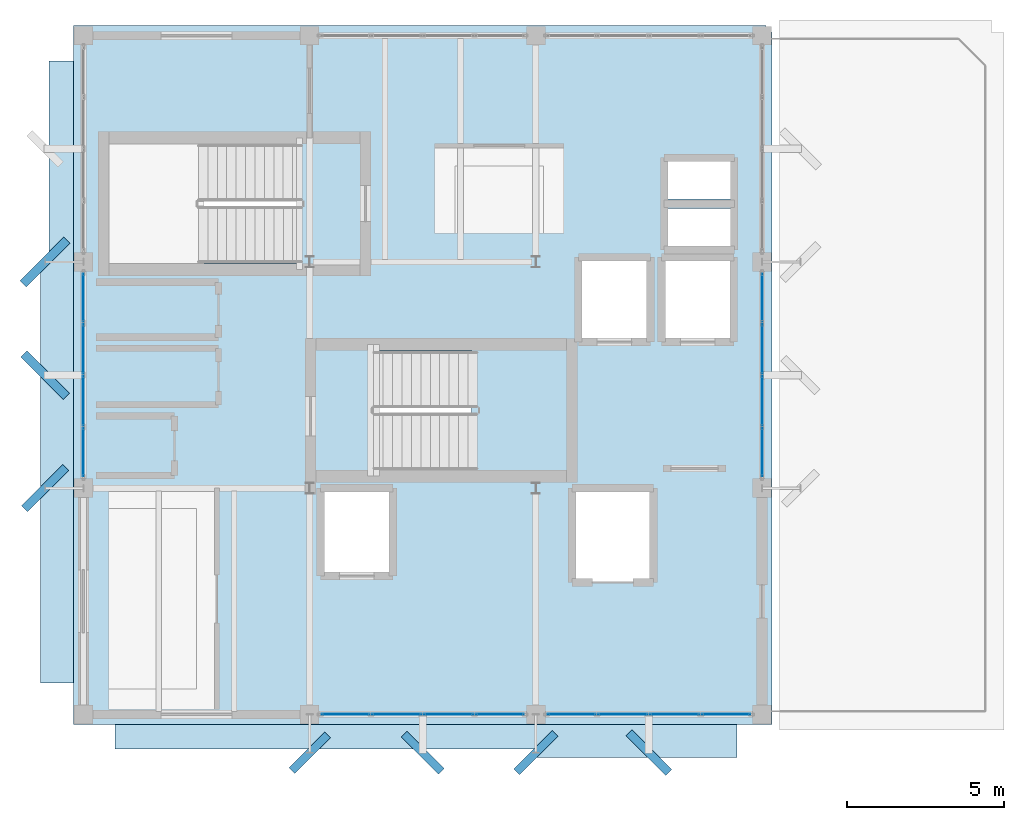
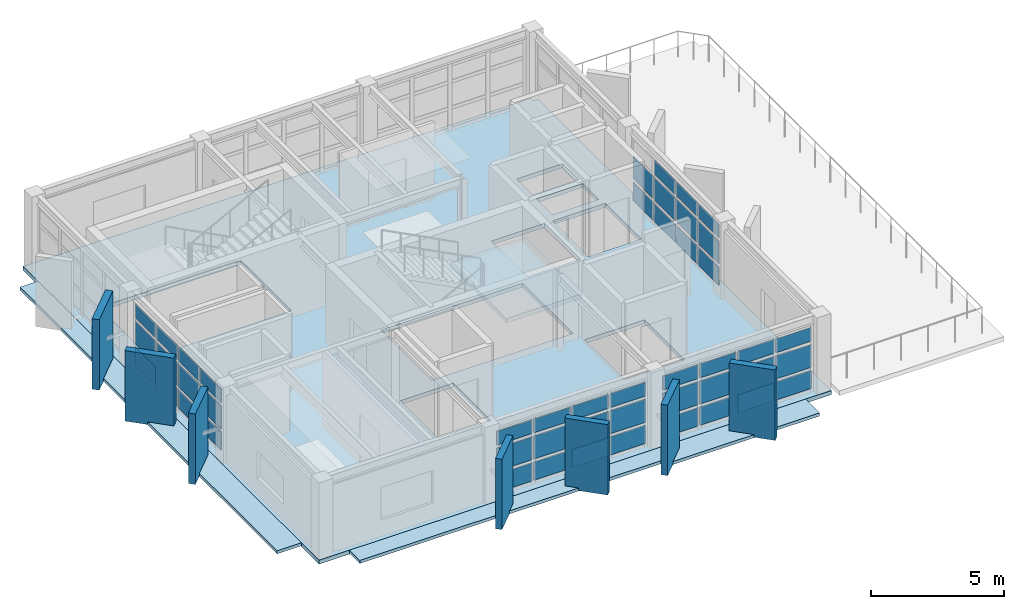
# One storey, part 7 of 13: 54 plates, 4 slabs, 5 elements without a shape of their own.
"""IFC4 building model written with IfcOpenShell, lengths in metres."""

from ifc_helpers import new_model, si_unit, direction, frame, origin, origin_2d, place, context, subcontext, project, spatial, polyline, rectangle, outline, extrude, material, layer, layer_set, type_object, element, aggregate, save


model = new_model("IFC4")

# Units and contexts
model_context = context("Model", 3, precision=1e-05, world=origin(), true_north=direction((0.0, 1.0)))
body_context = subcontext(model_context, "Body", "Model", "MODEL_VIEW")
ifc_project = project(units=[si_unit("LENGTHUNIT", "METRE"), si_unit("AREAUNIT", "SQUARE_METRE"), si_unit("VOLUMEUNIT", "CUBIC_METRE"), si_unit("PLANEANGLEUNIT", "RADIAN"), si_unit("MASSUNIT", "GRAM", prefix="KILO")], contexts=[model_context])

# Site, building, storey
site_placement = place(None, origin())
site = spatial("IfcSite", under=ifc_project, at=site_placement, CompositionType="ELEMENT")
building_placement = place(site_placement, origin())
building = spatial("IfcBuilding", under=site, at=building_placement, Name="Kandorven Conservatory and Botanical Research Centre", CompositionType="ELEMENT")
storey_placement = place(building_placement, frame((0.0, 0.0, 59.39990234375)))
storey = spatial("IfcBuildingStorey", under=building, at=storey_placement, Name="L15", CompositionType="ELEMENT", Elevation=59.39990234375)

# Curtain wall, plates
ifc_material_1 = material(Name="Bronze anodised thermally broken aluminium", Category="aluminium")
ifc_layer_1 = layer(ifc_material_1, 0.179931640625)
ifc_layer_set_1 = layer_set([ifc_layer_1], Name="Bronze anodised thermally broken aluminium")
curtain_wall_type = type_object("IfcCurtainWallType", Name="CW_Unitised", PredefinedType="USERDEFINED", material=ifc_layer_set_1)
curtain_wall_1_placement = place(storey_placement, origin())
curtain_wall_1 = element("IfcCurtainWall", 1, at=curtain_wall_1_placement, inside=storey, type_object=curtain_wall_type, Name="Tower laboratory curtain wall CW-TWR-S-L15-2", ObjectType="UNITISED GLAZING", PredefinedType="USERDEFINED")
ifc_material_2 = material(Name="Double-glazed solar-control low-E glass", Category="glass")
ifc_layer_2 = layer(ifc_material_2, 0.028076171875)
ifc_layer_set_2 = layer_set([ifc_layer_2], Name="Double-glazed solar-control low-E glass")
plate_type_1 = type_object("IfcPlateType", Name="CW_Panel", PredefinedType="CURTAIN_PANEL", material=ifc_layer_set_2)
plate_1_placement = place(storey_placement, frame((14.344970703125, 6.0, 0.14990234375), z_axis=(0.0, 0.0, 1.0), x_axis=(1.0, 0.0, 0.0)))
plate_1 = element("IfcPlate", 2, at=plate_1_placement, type_object=plate_type_1, Name="CW-01 panel 1.1", PredefinedType="CURTAIN_PANEL", context=body_context, shape_type="SweptSolid", body=[
    extrude(rectangle(XDim=1.530029296875, YDim=0.028076171875, at=origin_2d()), origin(), (0.0, 0.0, 1.0), 0.824951171875),
])
plate_2_placement = place(storey_placement, frame((14.344970703125, 6.0, 1.125), z_axis=(0.0, 0.0, 1.0), x_axis=(1.0, 0.0, 0.0)))
plate_2 = element("IfcPlate", 3, at=plate_2_placement, type_object=plate_type_1, Name="CW-01 panel 1.2", PredefinedType="CURTAIN_PANEL", context=body_context, shape_type="SweptSolid", body=[
    extrude(rectangle(XDim=1.530029296875, YDim=0.028076171875, at=origin_2d()), origin(), (0.0, 0.0, 1.0), 1.050048828125),
])
plate_3_placement = place(storey_placement, frame((14.344970703125, 6.0, 2.3251953125), z_axis=(0.0, 0.0, 1.0), x_axis=(1.0, 0.0, 0.0)))
plate_3 = element("IfcPlate", 4, at=plate_3_placement, type_object=plate_type_1, Name="CW-01 panel 1.3", PredefinedType="CURTAIN_PANEL", context=body_context, shape_type="SweptSolid", body=[
    extrude(rectangle(XDim=1.530029296875, YDim=0.028076171875, at=origin_2d()), origin(), (0.0, 0.0, 1.0), 0.635009765625),
])
plate_4_placement = place(storey_placement, frame((15.97509765625, 6.0, 0.14990234375), z_axis=(0.0, 0.0, 1.0), x_axis=(1.0, 0.0, 0.0)))
plate_4 = element("IfcPlate", 5, at=plate_4_placement, type_object=plate_type_1, Name="CW-01 panel 2.1", PredefinedType="CURTAIN_PANEL", context=body_context, shape_type="SweptSolid", body=[
    extrude(rectangle(XDim=1.570068359375, YDim=0.028076171875, at=origin_2d()), origin(), (0.0, 0.0, 1.0), 0.824951171875),
])
plate_5_placement = place(storey_placement, frame((15.97509765625, 6.0, 1.125), z_axis=(0.0, 0.0, 1.0), x_axis=(1.0, 0.0, 0.0)))
plate_5 = element("IfcPlate", 6, at=plate_5_placement, type_object=plate_type_1, Name="CW-01 panel 2.2", PredefinedType="CURTAIN_PANEL", context=body_context, shape_type="SweptSolid", body=[
    extrude(rectangle(XDim=1.570068359375, YDim=0.028076171875, at=origin_2d()), origin(), (0.0, 0.0, 1.0), 1.050048828125),
])
plate_6_placement = place(storey_placement, frame((15.97509765625, 6.0, 2.3251953125), z_axis=(0.0, 0.0, 1.0), x_axis=(1.0, 0.0, 0.0)))
plate_6 = element("IfcPlate", 7, at=plate_6_placement, type_object=plate_type_1, Name="CW-01 panel 2.3", PredefinedType="CURTAIN_PANEL", context=body_context, shape_type="SweptSolid", body=[
    extrude(rectangle(XDim=1.570068359375, YDim=0.028076171875, at=origin_2d()), origin(), (0.0, 0.0, 1.0), 0.635009765625),
])
plate_7_placement = place(storey_placement, frame((17.625, 6.0, 0.14990234375), z_axis=(0.0, 0.0, 1.0), x_axis=(1.0, 0.0, 0.0)))
plate_7 = element("IfcPlate", 8, at=plate_7_placement, type_object=plate_type_1, Name="CW-01 panel 3.1", PredefinedType="CURTAIN_PANEL", context=body_context, shape_type="SweptSolid", body=[
    extrude(rectangle(XDim=1.570068359375, YDim=0.028076171875, at=origin_2d()), origin(), (0.0, 0.0, 1.0), 0.824951171875),
])
plate_8_placement = place(storey_placement, frame((17.625, 6.0, 1.125), z_axis=(0.0, 0.0, 1.0), x_axis=(1.0, 0.0, 0.0)))
plate_8 = element("IfcPlate", 9, at=plate_8_placement, type_object=plate_type_1, Name="CW-01 panel 3.2", PredefinedType="CURTAIN_PANEL", context=body_context, shape_type="SweptSolid", body=[
    extrude(rectangle(XDim=1.570068359375, YDim=0.028076171875, at=origin_2d()), origin(), (0.0, 0.0, 1.0), 1.050048828125),
])
plate_9_placement = place(storey_placement, frame((17.625, 6.0, 2.3251953125), z_axis=(0.0, 0.0, 1.0), x_axis=(1.0, 0.0, 0.0)))
plate_9 = element("IfcPlate", 10, at=plate_9_placement, type_object=plate_type_1, Name="CW-01 panel 3.3", PredefinedType="CURTAIN_PANEL", context=body_context, shape_type="SweptSolid", body=[
    extrude(rectangle(XDim=1.570068359375, YDim=0.028076171875, at=origin_2d()), origin(), (0.0, 0.0, 1.0), 0.635009765625),
])
plate_10_placement = place(storey_placement, frame((19.2548828125, 6.0, 0.14990234375), z_axis=(0.0, 0.0, 1.0), x_axis=(1.0, 0.0, 0.0)))
plate_10 = element("IfcPlate", 11, at=plate_10_placement, type_object=plate_type_1, Name="CW-01 panel 4.1", PredefinedType="CURTAIN_PANEL", context=body_context, shape_type="SweptSolid", body=[
    extrude(rectangle(XDim=1.530029296875, YDim=0.028076171875, at=origin_2d()), origin(), (0.0, 0.0, 1.0), 0.824951171875),
])
plate_11_placement = place(storey_placement, frame((19.2548828125, 6.0, 1.125), z_axis=(0.0, 0.0, 1.0), x_axis=(1.0, 0.0, 0.0)))
plate_11 = element("IfcPlate", 12, at=plate_11_placement, type_object=plate_type_1, Name="CW-01 panel 4.2", PredefinedType="CURTAIN_PANEL", context=body_context, shape_type="SweptSolid", body=[
    extrude(rectangle(XDim=1.530029296875, YDim=0.028076171875, at=origin_2d()), origin(), (0.0, 0.0, 1.0), 1.050048828125),
])
plate_12_placement = place(storey_placement, frame((19.2548828125, 6.0, 2.3251953125), z_axis=(0.0, 0.0, 1.0), x_axis=(1.0, 0.0, 0.0)))
plate_12 = element("IfcPlate", 13, at=plate_12_placement, type_object=plate_type_1, Name="CW-01 panel 4.3", PredefinedType="CURTAIN_PANEL", context=body_context, shape_type="SweptSolid", body=[
    extrude(rectangle(XDim=1.530029296875, YDim=0.028076171875, at=origin_2d()), origin(), (0.0, 0.0, 1.0), 0.635009765625),
])
aggregate(curtain_wall_1, [plate_1, plate_2, plate_3, plate_4, plate_5, plate_6, plate_7, plate_8, plate_9, plate_10, plate_11, plate_12])

curtain_wall_2_placement = place(storey_placement, origin())
curtain_wall_2 = element("IfcCurtainWall", 14, at=curtain_wall_2_placement, inside=storey, type_object=curtain_wall_type, Name="Tower laboratory curtain wall CW-TWR-S-L15-3", ObjectType="UNITISED GLAZING", PredefinedType="USERDEFINED")
plate_13_placement = place(storey_placement, frame((21.544921875, 6.0, 0.14990234375), z_axis=(0.0, 0.0, 1.0), x_axis=(1.0, 0.0, 0.0)))
plate_13 = element("IfcPlate", 15, at=plate_13_placement, type_object=plate_type_1, Name="CW-01 panel 1.1", PredefinedType="CURTAIN_PANEL", context=body_context, shape_type="SweptSolid", body=[
    extrude(rectangle(XDim=1.530029296875, YDim=0.028076171875, at=origin_2d()), origin(), (0.0, 0.0, 1.0), 0.824951171875),
])
plate_14_placement = place(storey_placement, frame((21.544921875, 6.0, 1.125), z_axis=(0.0, 0.0, 1.0), x_axis=(1.0, 0.0, 0.0)))
plate_14 = element("IfcPlate", 16, at=plate_14_placement, type_object=plate_type_1, Name="CW-01 panel 1.2", PredefinedType="CURTAIN_PANEL", context=body_context, shape_type="SweptSolid", body=[
    extrude(rectangle(XDim=1.530029296875, YDim=0.028076171875, at=origin_2d()), origin(), (0.0, 0.0, 1.0), 1.050048828125),
])
plate_15_placement = place(storey_placement, frame((21.544921875, 6.0, 2.3251953125), z_axis=(0.0, 0.0, 1.0), x_axis=(1.0, 0.0, 0.0)))
plate_15 = element("IfcPlate", 17, at=plate_15_placement, type_object=plate_type_1, Name="CW-01 panel 1.3", PredefinedType="CURTAIN_PANEL", context=body_context, shape_type="SweptSolid", body=[
    extrude(rectangle(XDim=1.530029296875, YDim=0.028076171875, at=origin_2d()), origin(), (0.0, 0.0, 1.0), 0.635009765625),
])
plate_16_placement = place(storey_placement, frame((23.175048828125, 6.0, 0.14990234375), z_axis=(0.0, 0.0, 1.0), x_axis=(1.0, 0.0, 0.0)))
plate_16 = element("IfcPlate", 18, at=plate_16_placement, type_object=plate_type_1, Name="CW-01 panel 2.1", PredefinedType="CURTAIN_PANEL", context=body_context, shape_type="SweptSolid", body=[
    extrude(rectangle(XDim=1.570068359375, YDim=0.028076171875, at=origin_2d()), origin(), (0.0, 0.0, 1.0), 0.824951171875),
])
plate_17_placement = place(storey_placement, frame((23.175048828125, 6.0, 1.125), z_axis=(0.0, 0.0, 1.0), x_axis=(1.0, 0.0, 0.0)))
plate_17 = element("IfcPlate", 19, at=plate_17_placement, type_object=plate_type_1, Name="CW-01 panel 2.2", PredefinedType="CURTAIN_PANEL", context=body_context, shape_type="SweptSolid", body=[
    extrude(rectangle(XDim=1.570068359375, YDim=0.028076171875, at=origin_2d()), origin(), (0.0, 0.0, 1.0), 1.050048828125),
])
plate_18_placement = place(storey_placement, frame((23.175048828125, 6.0, 2.3251953125), z_axis=(0.0, 0.0, 1.0), x_axis=(1.0, 0.0, 0.0)))
plate_18 = element("IfcPlate", 20, at=plate_18_placement, type_object=plate_type_1, Name="CW-01 panel 2.3", PredefinedType="CURTAIN_PANEL", context=body_context, shape_type="SweptSolid", body=[
    extrude(rectangle(XDim=1.570068359375, YDim=0.028076171875, at=origin_2d()), origin(), (0.0, 0.0, 1.0), 0.635009765625),
])
plate_19_placement = place(storey_placement, frame((24.824951171875, 6.0, 0.14990234375), z_axis=(0.0, 0.0, 1.0), x_axis=(1.0, 0.0, 0.0)))
plate_19 = element("IfcPlate", 21, at=plate_19_placement, type_object=plate_type_1, Name="CW-01 panel 3.1", PredefinedType="CURTAIN_PANEL", context=body_context, shape_type="SweptSolid", body=[
    extrude(rectangle(XDim=1.570068359375, YDim=0.028076171875, at=origin_2d()), origin(), (0.0, 0.0, 1.0), 0.824951171875),
])
plate_20_placement = place(storey_placement, frame((24.824951171875, 6.0, 1.125), z_axis=(0.0, 0.0, 1.0), x_axis=(1.0, 0.0, 0.0)))
plate_20 = element("IfcPlate", 22, at=plate_20_placement, type_object=plate_type_1, Name="CW-01 panel 3.2", PredefinedType="CURTAIN_PANEL", context=body_context, shape_type="SweptSolid", body=[
    extrude(rectangle(XDim=1.570068359375, YDim=0.028076171875, at=origin_2d()), origin(), (0.0, 0.0, 1.0), 1.050048828125),
])
plate_21_placement = place(storey_placement, frame((24.824951171875, 6.0, 2.3251953125), z_axis=(0.0, 0.0, 1.0), x_axis=(1.0, 0.0, 0.0)))
plate_21 = element("IfcPlate", 23, at=plate_21_placement, type_object=plate_type_1, Name="CW-01 panel 3.3", PredefinedType="CURTAIN_PANEL", context=body_context, shape_type="SweptSolid", body=[
    extrude(rectangle(XDim=1.570068359375, YDim=0.028076171875, at=origin_2d()), origin(), (0.0, 0.0, 1.0), 0.635009765625),
])
plate_22_placement = place(storey_placement, frame((26.455078125, 6.0, 0.14990234375), z_axis=(0.0, 0.0, 1.0), x_axis=(1.0, 0.0, 0.0)))
plate_22 = element("IfcPlate", 24, at=plate_22_placement, type_object=plate_type_1, Name="CW-01 panel 4.1", PredefinedType="CURTAIN_PANEL", context=body_context, shape_type="SweptSolid", body=[
    extrude(rectangle(XDim=1.530029296875, YDim=0.028076171875, at=origin_2d()), origin(), (0.0, 0.0, 1.0), 0.824951171875),
])
plate_23_placement = place(storey_placement, frame((26.455078125, 6.0, 1.125), z_axis=(0.0, 0.0, 1.0), x_axis=(1.0, 0.0, 0.0)))
plate_23 = element("IfcPlate", 25, at=plate_23_placement, type_object=plate_type_1, Name="CW-01 panel 4.2", PredefinedType="CURTAIN_PANEL", context=body_context, shape_type="SweptSolid", body=[
    extrude(rectangle(XDim=1.530029296875, YDim=0.028076171875, at=origin_2d()), origin(), (0.0, 0.0, 1.0), 1.050048828125),
])
plate_24_placement = place(storey_placement, frame((26.455078125, 6.0, 2.3251953125), z_axis=(0.0, 0.0, 1.0), x_axis=(1.0, 0.0, 0.0)))
plate_24 = element("IfcPlate", 26, at=plate_24_placement, type_object=plate_type_1, Name="CW-01 panel 4.3", PredefinedType="CURTAIN_PANEL", context=body_context, shape_type="SweptSolid", body=[
    extrude(rectangle(XDim=1.530029296875, YDim=0.028076171875, at=origin_2d()), origin(), (0.0, 0.0, 1.0), 0.635009765625),
])
aggregate(curtain_wall_2, [plate_13, plate_14, plate_15, plate_16, plate_17, plate_18, plate_19, plate_20, plate_21, plate_22, plate_23, plate_24])

curtain_wall_3_placement = place(storey_placement, origin())
curtain_wall_3 = element("IfcCurtainWall", 27, at=curtain_wall_3_placement, inside=storey, type_object=curtain_wall_type, Name="Tower laboratory curtain wall CW-TWR-W-L15-2", ObjectType="UNITISED GLAZING", PredefinedType="USERDEFINED")
plate_25_placement = place(storey_placement, frame((6.0, 14.344970703125, 0.14990234375), z_axis=(0.0, 0.0, 1.0), x_axis=(0.0, 1.0, 0.0)))
plate_25 = element("IfcPlate", 28, at=plate_25_placement, type_object=plate_type_1, Name="CW-01 panel 1.1", PredefinedType="CURTAIN_PANEL", context=body_context, shape_type="SweptSolid", body=[
    extrude(rectangle(XDim=1.530029296875, YDim=0.028076171875, at=origin_2d()), origin(), (0.0, 0.0, 1.0), 0.824951171875),
])
plate_26_placement = place(storey_placement, frame((6.0, 14.344970703125, 1.125), z_axis=(0.0, 0.0, 1.0), x_axis=(0.0, 1.0, 0.0)))
plate_26 = element("IfcPlate", 29, at=plate_26_placement, type_object=plate_type_1, Name="CW-01 panel 1.2", PredefinedType="CURTAIN_PANEL", context=body_context, shape_type="SweptSolid", body=[
    extrude(rectangle(XDim=1.530029296875, YDim=0.028076171875, at=origin_2d()), origin(), (0.0, 0.0, 1.0), 1.050048828125),
])
plate_27_placement = place(storey_placement, frame((6.0, 14.344970703125, 2.3251953125), z_axis=(0.0, 0.0, 1.0), x_axis=(0.0, 1.0, 0.0)))
plate_27 = element("IfcPlate", 30, at=plate_27_placement, type_object=plate_type_1, Name="CW-01 panel 1.3", PredefinedType="CURTAIN_PANEL", context=body_context, shape_type="SweptSolid", body=[
    extrude(rectangle(XDim=1.530029296875, YDim=0.028076171875, at=origin_2d()), origin(), (0.0, 0.0, 1.0), 0.635009765625),
])
plate_28_placement = place(storey_placement, frame((6.0, 15.97509765625, 0.14990234375), z_axis=(0.0, 0.0, 1.0), x_axis=(0.0, 1.0, 0.0)))
plate_28 = element("IfcPlate", 31, at=plate_28_placement, type_object=plate_type_1, Name="CW-01 panel 2.1", PredefinedType="CURTAIN_PANEL", context=body_context, shape_type="SweptSolid", body=[
    extrude(rectangle(XDim=1.570068359375, YDim=0.028076171875, at=origin_2d()), origin(), (0.0, 0.0, 1.0), 0.824951171875),
])
plate_29_placement = place(storey_placement, frame((6.0, 15.97509765625, 1.125), z_axis=(0.0, 0.0, 1.0), x_axis=(0.0, 1.0, 0.0)))
plate_29 = element("IfcPlate", 32, at=plate_29_placement, type_object=plate_type_1, Name="CW-01 panel 2.2", PredefinedType="CURTAIN_PANEL", context=body_context, shape_type="SweptSolid", body=[
    extrude(rectangle(XDim=1.570068359375, YDim=0.028076171875, at=origin_2d()), origin(), (0.0, 0.0, 1.0), 1.050048828125),
])
plate_30_placement = place(storey_placement, frame((6.0, 15.97509765625, 2.3251953125), z_axis=(0.0, 0.0, 1.0), x_axis=(0.0, 1.0, 0.0)))
plate_30 = element("IfcPlate", 33, at=plate_30_placement, type_object=plate_type_1, Name="CW-01 panel 2.3", PredefinedType="CURTAIN_PANEL", context=body_context, shape_type="SweptSolid", body=[
    extrude(rectangle(XDim=1.570068359375, YDim=0.028076171875, at=origin_2d()), origin(), (0.0, 0.0, 1.0), 0.635009765625),
])
plate_31_placement = place(storey_placement, frame((6.0, 17.625, 0.14990234375), z_axis=(0.0, 0.0, 1.0), x_axis=(0.0, 1.0, 0.0)))
plate_31 = element("IfcPlate", 34, at=plate_31_placement, type_object=plate_type_1, Name="CW-01 panel 3.1", PredefinedType="CURTAIN_PANEL", context=body_context, shape_type="SweptSolid", body=[
    extrude(rectangle(XDim=1.570068359375, YDim=0.028076171875, at=origin_2d()), origin(), (0.0, 0.0, 1.0), 0.824951171875),
])
plate_32_placement = place(storey_placement, frame((6.0, 17.625, 1.125), z_axis=(0.0, 0.0, 1.0), x_axis=(0.0, 1.0, 0.0)))
plate_32 = element("IfcPlate", 35, at=plate_32_placement, type_object=plate_type_1, Name="CW-01 panel 3.2", PredefinedType="CURTAIN_PANEL", context=body_context, shape_type="SweptSolid", body=[
    extrude(rectangle(XDim=1.570068359375, YDim=0.028076171875, at=origin_2d()), origin(), (0.0, 0.0, 1.0), 1.050048828125),
])
plate_33_placement = place(storey_placement, frame((6.0, 17.625, 2.3251953125), z_axis=(0.0, 0.0, 1.0), x_axis=(0.0, 1.0, 0.0)))
plate_33 = element("IfcPlate", 36, at=plate_33_placement, type_object=plate_type_1, Name="CW-01 panel 3.3", PredefinedType="CURTAIN_PANEL", context=body_context, shape_type="SweptSolid", body=[
    extrude(rectangle(XDim=1.570068359375, YDim=0.028076171875, at=origin_2d()), origin(), (0.0, 0.0, 1.0), 0.635009765625),
])
plate_34_placement = place(storey_placement, frame((6.0, 19.2548828125, 0.14990234375), z_axis=(0.0, 0.0, 1.0), x_axis=(0.0, 1.0, 0.0)))
plate_34 = element("IfcPlate", 37, at=plate_34_placement, type_object=plate_type_1, Name="CW-01 panel 4.1", PredefinedType="CURTAIN_PANEL", context=body_context, shape_type="SweptSolid", body=[
    extrude(rectangle(XDim=1.530029296875, YDim=0.028076171875, at=origin_2d()), origin(), (0.0, 0.0, 1.0), 0.824951171875),
])
plate_35_placement = place(storey_placement, frame((6.0, 19.2548828125, 1.125), z_axis=(0.0, 0.0, 1.0), x_axis=(0.0, 1.0, 0.0)))
plate_35 = element("IfcPlate", 38, at=plate_35_placement, type_object=plate_type_1, Name="CW-01 panel 4.2", PredefinedType="CURTAIN_PANEL", context=body_context, shape_type="SweptSolid", body=[
    extrude(rectangle(XDim=1.530029296875, YDim=0.028076171875, at=origin_2d()), origin(), (0.0, 0.0, 1.0), 1.050048828125),
])
plate_36_placement = place(storey_placement, frame((6.0, 19.2548828125, 2.3251953125), z_axis=(0.0, 0.0, 1.0), x_axis=(0.0, 1.0, 0.0)))
plate_36 = element("IfcPlate", 39, at=plate_36_placement, type_object=plate_type_1, Name="CW-01 panel 4.3", PredefinedType="CURTAIN_PANEL", context=body_context, shape_type="SweptSolid", body=[
    extrude(rectangle(XDim=1.530029296875, YDim=0.028076171875, at=origin_2d()), origin(), (0.0, 0.0, 1.0), 0.635009765625),
])
aggregate(curtain_wall_3, [plate_25, plate_26, plate_27, plate_28, plate_29, plate_30, plate_31, plate_32, plate_33, plate_34, plate_35, plate_36])

curtain_wall_4_placement = place(storey_placement, origin())
curtain_wall_4 = element("IfcCurtainWall", 40, at=curtain_wall_4_placement, inside=storey, type_object=curtain_wall_type, Name="Tower laboratory curtain wall CW-TWR-E-L15-2", ObjectType="UNITISED GLAZING", PredefinedType="USERDEFINED")
plate_37_placement = place(storey_placement, frame((27.60009765625, 14.344970703125, 0.14990234375), z_axis=(0.0, 0.0, 1.0), x_axis=(0.0, 1.0, 0.0)))
plate_37 = element("IfcPlate", 41, at=plate_37_placement, type_object=plate_type_1, Name="CW-01 panel 1.1", PredefinedType="CURTAIN_PANEL", context=body_context, shape_type="SweptSolid", body=[
    extrude(rectangle(XDim=1.530029296875, YDim=0.028076171875, at=origin_2d()), origin(), (0.0, 0.0, 1.0), 0.824951171875),
])
plate_38_placement = place(storey_placement, frame((27.60009765625, 14.344970703125, 1.125), z_axis=(0.0, 0.0, 1.0), x_axis=(0.0, 1.0, 0.0)))
plate_38 = element("IfcPlate", 42, at=plate_38_placement, type_object=plate_type_1, Name="CW-01 panel 1.2", PredefinedType="CURTAIN_PANEL", context=body_context, shape_type="SweptSolid", body=[
    extrude(rectangle(XDim=1.530029296875, YDim=0.028076171875, at=origin_2d()), origin(), (0.0, 0.0, 1.0), 1.050048828125),
])
plate_39_placement = place(storey_placement, frame((27.60009765625, 14.344970703125, 2.3251953125), z_axis=(0.0, 0.0, 1.0), x_axis=(0.0, 1.0, 0.0)))
plate_39 = element("IfcPlate", 43, at=plate_39_placement, type_object=plate_type_1, Name="CW-01 panel 1.3", PredefinedType="CURTAIN_PANEL", context=body_context, shape_type="SweptSolid", body=[
    extrude(rectangle(XDim=1.530029296875, YDim=0.028076171875, at=origin_2d()), origin(), (0.0, 0.0, 1.0), 0.635009765625),
])
plate_40_placement = place(storey_placement, frame((27.60009765625, 15.97509765625, 0.14990234375), z_axis=(0.0, 0.0, 1.0), x_axis=(0.0, 1.0, 0.0)))
plate_40 = element("IfcPlate", 44, at=plate_40_placement, type_object=plate_type_1, Name="CW-01 panel 2.1", PredefinedType="CURTAIN_PANEL", context=body_context, shape_type="SweptSolid", body=[
    extrude(rectangle(XDim=1.570068359375, YDim=0.028076171875, at=origin_2d()), origin(), (0.0, 0.0, 1.0), 0.824951171875),
])
plate_41_placement = place(storey_placement, frame((27.60009765625, 15.97509765625, 1.125), z_axis=(0.0, 0.0, 1.0), x_axis=(0.0, 1.0, 0.0)))
plate_41 = element("IfcPlate", 45, at=plate_41_placement, type_object=plate_type_1, Name="CW-01 panel 2.2", PredefinedType="CURTAIN_PANEL", context=body_context, shape_type="SweptSolid", body=[
    extrude(rectangle(XDim=1.570068359375, YDim=0.028076171875, at=origin_2d()), origin(), (0.0, 0.0, 1.0), 1.050048828125),
])
plate_42_placement = place(storey_placement, frame((27.60009765625, 15.97509765625, 2.3251953125), z_axis=(0.0, 0.0, 1.0), x_axis=(0.0, 1.0, 0.0)))
plate_42 = element("IfcPlate", 46, at=plate_42_placement, type_object=plate_type_1, Name="CW-01 panel 2.3", PredefinedType="CURTAIN_PANEL", context=body_context, shape_type="SweptSolid", body=[
    extrude(rectangle(XDim=1.570068359375, YDim=0.028076171875, at=origin_2d()), origin(), (0.0, 0.0, 1.0), 0.635009765625),
])
plate_43_placement = place(storey_placement, frame((27.60009765625, 17.625, 0.14990234375), z_axis=(0.0, 0.0, 1.0), x_axis=(0.0, 1.0, 0.0)))
plate_43 = element("IfcPlate", 47, at=plate_43_placement, type_object=plate_type_1, Name="CW-01 panel 3.1", PredefinedType="CURTAIN_PANEL", context=body_context, shape_type="SweptSolid", body=[
    extrude(rectangle(XDim=1.570068359375, YDim=0.028076171875, at=origin_2d()), origin(), (0.0, 0.0, 1.0), 0.824951171875),
])
plate_44_placement = place(storey_placement, frame((27.60009765625, 17.625, 1.125), z_axis=(0.0, 0.0, 1.0), x_axis=(0.0, 1.0, 0.0)))
plate_44 = element("IfcPlate", 48, at=plate_44_placement, type_object=plate_type_1, Name="CW-01 panel 3.2", PredefinedType="CURTAIN_PANEL", context=body_context, shape_type="SweptSolid", body=[
    extrude(rectangle(XDim=1.570068359375, YDim=0.028076171875, at=origin_2d()), origin(), (0.0, 0.0, 1.0), 1.050048828125),
])
plate_45_placement = place(storey_placement, frame((27.60009765625, 17.625, 2.3251953125), z_axis=(0.0, 0.0, 1.0), x_axis=(0.0, 1.0, 0.0)))
plate_45 = element("IfcPlate", 49, at=plate_45_placement, type_object=plate_type_1, Name="CW-01 panel 3.3", PredefinedType="CURTAIN_PANEL", context=body_context, shape_type="SweptSolid", body=[
    extrude(rectangle(XDim=1.570068359375, YDim=0.028076171875, at=origin_2d()), origin(), (0.0, 0.0, 1.0), 0.635009765625),
])
plate_46_placement = place(storey_placement, frame((27.60009765625, 19.2548828125, 0.14990234375), z_axis=(0.0, 0.0, 1.0), x_axis=(0.0, 1.0, 0.0)))
plate_46 = element("IfcPlate", 50, at=plate_46_placement, type_object=plate_type_1, Name="CW-01 panel 4.1", PredefinedType="CURTAIN_PANEL", context=body_context, shape_type="SweptSolid", body=[
    extrude(rectangle(XDim=1.530029296875, YDim=0.028076171875, at=origin_2d()), origin(), (0.0, 0.0, 1.0), 0.824951171875),
])
plate_47_placement = place(storey_placement, frame((27.60009765625, 19.2548828125, 1.125), z_axis=(0.0, 0.0, 1.0), x_axis=(0.0, 1.0, 0.0)))
plate_47 = element("IfcPlate", 51, at=plate_47_placement, type_object=plate_type_1, Name="CW-01 panel 4.2", PredefinedType="CURTAIN_PANEL", context=body_context, shape_type="SweptSolid", body=[
    extrude(rectangle(XDim=1.530029296875, YDim=0.028076171875, at=origin_2d()), origin(), (0.0, 0.0, 1.0), 1.050048828125),
])
aggregate(curtain_wall_4, [plate_37, plate_38, plate_39, plate_40, plate_41, plate_42, plate_43, plate_44, plate_45, plate_46, plate_47])

# Plates
ifc_material_3 = material(Name="Precast concrete C40/50 (M50)", Category="concrete")
ifc_layer_3 = layer(ifc_material_3, 0.256103515625)
ifc_layer_set_3 = layer_set([ifc_layer_3], Name="Precast concrete C40/50 (M50)")
plate_type_2 = type_object("IfcPlateType", Name="Fin_BF-14", PredefinedType="USERDEFINED", material=ifc_layer_set_3)
plate_48_placement = place(storey_placement, frame((13.199951171875, 4.780029296875, -0.119873046875), z_axis=(0.0, 0.0, 1.0), x_axis=(0.707106781187, 0.707106781187, 0.0)))
element("IfcPlate", 52, at=plate_48_placement, inside=storey, type_object=plate_type_2, Name="Sculpted board-marked concrete brise-soleil fin BF-14", ObjectType="SOLAR FIN", PredefinedType="USERDEFINED", context=body_context, shape_type="SweptSolid", body=[
    extrude(rectangle(XDim=1.610107421875, YDim=0.256103515625, at=origin_2d()), origin(), (0.0, 0.0, 1.0), 3.22998046875),
])
ifc_material_4 = material(Name="Precast concrete C40/50 (M50)", Category="concrete")
ifc_layer_4 = layer(ifc_material_4, 0.261962890625)
ifc_layer_set_4 = layer_set([ifc_layer_4], Name="Precast concrete C40/50 (M50)")
plate_type_3 = type_object("IfcPlateType", Name="Fin_BF-15", PredefinedType="USERDEFINED", material=ifc_layer_set_4)
plate_49_placement = place(storey_placement, frame((16.800048828125, 4.780029296875, -0.119873046875), z_axis=(0.0, 0.0, 1.0), x_axis=(-0.707106781187, 0.707106781187, 0.0)))
element("IfcPlate", 53, at=plate_49_placement, inside=storey, type_object=plate_type_3, Name="Sculpted board-marked concrete brise-soleil fin BF-15", ObjectType="SOLAR FIN", PredefinedType="USERDEFINED", context=body_context, shape_type="SweptSolid", body=[
    extrude(rectangle(XDim=1.669921875, YDim=0.261962890625, at=origin_2d()), origin(), (0.0, 0.0, 1.0), 3.22998046875),
])
ifc_material_5 = material(Name="Precast concrete C40/50 (M50)", Category="concrete")
ifc_layer_5 = layer(ifc_material_5, 0.26611328125)
ifc_layer_set_5 = layer_set([ifc_layer_5], Name="Precast concrete C40/50 (M50)")
plate_type_4 = type_object("IfcPlateType", Name="Fin_BF-16", PredefinedType="USERDEFINED", material=ifc_layer_set_5)
plate_50_placement = place(storey_placement, frame((20.39990234375, 4.780029296875, -0.119873046875), z_axis=(0.0, 0.0, 1.0), x_axis=(0.707106781187, 0.707106781187, 0.0)))
element("IfcPlate", 54, at=plate_50_placement, inside=storey, type_object=plate_type_4, Name="Sculpted board-marked concrete brise-soleil fin BF-16", ObjectType="SOLAR FIN", PredefinedType="USERDEFINED", context=body_context, shape_type="SweptSolid", body=[
    extrude(rectangle(XDim=1.72998046875, YDim=0.26611328125, at=origin_2d()), origin(), (0.0, 0.0, 1.0), 3.22998046875),
])
ifc_material_6 = material(Name="Precast concrete C40/50 (M50)", Category="concrete")
ifc_layer_6 = layer(ifc_material_6, 0.27197265625)
ifc_layer_set_6 = layer_set([ifc_layer_6], Name="Precast concrete C40/50 (M50)")
plate_type_5 = type_object("IfcPlateType", Name="Fin_BF-17", PredefinedType="USERDEFINED", material=ifc_layer_set_6)
plate_51_placement = place(storey_placement, frame((24.0, 4.780029296875, -0.119873046875), z_axis=(0.0, 0.0, 1.0), x_axis=(-0.707106781187, 0.707106781187, 0.0)))
element("IfcPlate", 55, at=plate_51_placement, inside=storey, type_object=plate_type_5, Name="Sculpted board-marked concrete brise-soleil fin BF-17", ObjectType="SOLAR FIN", PredefinedType="USERDEFINED", context=body_context, shape_type="SweptSolid", body=[
    extrude(rectangle(XDim=1.7900390625, YDim=0.27197265625, at=origin_2d()), origin(), (0.0, 0.0, 1.0), 3.22998046875),
])
ifc_material_7 = material(Name="Precast concrete C40/50 (M50)", Category="concrete")
ifc_layer_7 = layer(ifc_material_7, 0.27587890625)
ifc_layer_set_7 = layer_set([ifc_layer_7], Name="Precast concrete C40/50 (M50)")
plate_type_6 = type_object("IfcPlateType", Name="Fin_BF-18", PredefinedType="USERDEFINED", material=ifc_layer_set_7)
plate_52_placement = place(storey_placement, frame((4.780029296875, 13.199951171875, -0.119873046875), z_axis=(0.0, 0.0, 1.0), x_axis=(0.707106781187, 0.707106781187, 0.0)))
element("IfcPlate", 56, at=plate_52_placement, inside=storey, type_object=plate_type_6, Name="Sculpted board-marked concrete brise-soleil fin BF-18", ObjectType="SOLAR FIN", PredefinedType="USERDEFINED", context=body_context, shape_type="SweptSolid", body=[
    extrude(rectangle(XDim=1.85009765625, YDim=0.27587890625, at=origin_2d()), origin(), (0.0, 0.0, 1.0), 3.22998046875),
])
ifc_material_8 = material(Name="Precast concrete C40/50 (M50)", Category="concrete")
ifc_layer_8 = layer(ifc_material_8, 0.281982421875)
ifc_layer_set_8 = layer_set([ifc_layer_8], Name="Precast concrete C40/50 (M50)")
plate_type_7 = type_object("IfcPlateType", Name="Fin_BF-19", PredefinedType="USERDEFINED", material=ifc_layer_set_8)
plate_53_placement = place(storey_placement, frame((4.780029296875, 16.800048828125, -0.119873046875), z_axis=(0.0, 0.0, 1.0), x_axis=(-0.707106781187, 0.707106781187, 0.0)))
element("IfcPlate", 57, at=plate_53_placement, inside=storey, type_object=plate_type_7, Name="Sculpted board-marked concrete brise-soleil fin BF-19", ObjectType="SOLAR FIN", PredefinedType="USERDEFINED", context=body_context, shape_type="SweptSolid", body=[
    extrude(rectangle(XDim=1.909912109375, YDim=0.281982421875, at=origin_2d()), origin(), (0.0, 0.0, 1.0), 3.22998046875),
])
ifc_material_9 = material(Name="Precast concrete C40/50 (M50)", Category="concrete")
ifc_layer_9 = layer(ifc_material_9, 0.2880859375)
ifc_layer_set_9 = layer_set([ifc_layer_9], Name="Precast concrete C40/50 (M50)")
plate_type_8 = type_object("IfcPlateType", Name="Fin_BF-20", PredefinedType="USERDEFINED", material=ifc_layer_set_9)
plate_54_placement = place(storey_placement, frame((4.780029296875, 20.39990234375, -0.119873046875), z_axis=(0.0, 0.0, 1.0), x_axis=(0.707106781187, 0.707106781187, 0.0)))
element("IfcPlate", 58, at=plate_54_placement, inside=storey, type_object=plate_type_8, Name="Sculpted board-marked concrete brise-soleil fin BF-20", ObjectType="SOLAR FIN", PredefinedType="USERDEFINED", context=body_context, shape_type="SweptSolid", body=[
    extrude(rectangle(XDim=1.969970703125, YDim=0.2880859375, at=origin_2d()), origin(), (0.0, 0.0, 1.0), 3.22998046875),
])

# Slabs
ifc_material_10 = material(Name="Concrete C32/40 (M40)", Category="concrete")
ifc_layer_10 = layer(ifc_material_10, 0.18505859375)
ifc_layer_set_10 = layer_set([ifc_layer_10], Name="Concrete C32/40 (M40)")
slab_type_1 = type_object("IfcSlabType", Name="Slab_SL-12", PredefinedType="FLOOR", material=ifc_layer_set_10)
slab_1_placement = place(storey_placement, frame((0.0, 0.0, -0.184814453125)))
element("IfcSlab", 59, at=slab_1_placement, inside=storey, type_object=slab_type_1, Name="Tower floor slab L15", PredefinedType="FLOOR", context=body_context, shape_type="SweptSolid", body=[
    extrude(outline(polyline([(5.679931640625, 5.679931640625), (27.919921875, 5.679931640625), (27.919921875, 27.719970703125), (27.719970703125, 27.719970703125), (27.719970703125, 27.919921875), (5.679931640625, 27.919921875), (5.679931640625, 5.679931640625)]), holes=[polyline([(15.239990234375, 13.780029296875), (21.3798828125, 13.780029296875), (21.3798828125, 17.570068359375), (15.239990234375, 17.570068359375), (15.239990234375, 13.780029296875)]), polyline([(12.9599609375, 24.14990234375), (6.820068359375, 24.14990234375), (6.820068359375, 20.360107421875), (12.9599609375, 20.360107421875), (12.9599609375, 24.14990234375)]), polyline([(21.75, 17.85009765625), (24.050048828125, 17.85009765625), (24.050048828125, 20.550048828125), (21.75, 20.550048828125), (21.75, 17.85009765625)]), polyline([(24.39990234375, 17.85009765625), (26.699951171875, 17.85009765625), (26.699951171875, 20.550048828125), (24.39990234375, 20.550048828125), (24.39990234375, 17.85009765625)]), polyline([(13.550048828125, 10.39990234375), (15.85009765625, 10.39990234375), (15.85009765625, 13.199951171875), (13.550048828125, 13.199951171875), (13.550048828125, 10.39990234375)]), polyline([(21.550048828125, 10.199951171875), (24.14990234375, 10.199951171875), (24.14990234375, 13.199951171875), (21.550048828125, 13.199951171875), (21.550048828125, 10.199951171875)]), polyline([(24.60009765625, 20.89990234375), (26.60009765625, 20.89990234375), (26.60009765625, 22.10009765625), (24.60009765625, 22.10009765625), (24.60009765625, 20.89990234375)]), polyline([(24.60009765625, 22.39990234375), (26.60009765625, 22.39990234375), (26.60009765625, 23.60009765625), (24.60009765625, 23.60009765625), (24.60009765625, 22.39990234375)])]), origin(), (0.0, 0.0, 1.0), 0.184814453125),
])
ifc_material_11 = material(Name="Concrete C32/40 (M40)", Category="concrete")
ifc_layer_11 = layer(ifc_material_11, 0.139892578125)
ifc_layer_set_11 = layer_set([ifc_layer_11], Name="Concrete C32/40 (M40)")
slab_type_2 = type_object("IfcSlabType", Name="Slab_SL-16", PredefinedType="FLOOR", material=ifc_layer_set_11)
slab_2_placement = place(storey_placement, frame((0.0, 0.0, -0.139892578125)))
element("IfcSlab", 60, at=slab_2_placement, inside=storey, type_object=slab_type_2, Name="Tower south sculpted concrete solar-hood slab L15", PredefinedType="FLOOR", context=body_context, shape_type="SweptSolid", body=[
    extrude(outline(polyline([(7.0, 5.679931640625), (26.800048828125, 5.679931640625), (26.800048828125, 4.6298828125), (20.39990234375, 4.6298828125), (20.39990234375, 4.89990234375), (7.0, 4.89990234375), (7.0, 5.679931640625)])), origin(), (0.0, 0.0, 1.0), 0.139892578125),
])
slab_3_placement = place(storey_placement, frame((0.0, 0.0, -0.139892578125)))
element("IfcSlab", 61, at=slab_3_placement, inside=storey, type_object=slab_type_2, Name="Tower west sculpted concrete solar-hood slab L15", PredefinedType="FLOOR", context=body_context, shape_type="SweptSolid", body=[
    extrude(outline(polyline([(4.6298828125, 7.0), (5.679931640625, 7.0), (5.679931640625, 26.800048828125), (4.89990234375, 26.800048828125), (4.89990234375, 20.39990234375), (4.6298828125, 20.39990234375), (4.6298828125, 7.0)])), origin(), (0.0, 0.0, 1.0), 0.139892578125),
])

# Stair, slab
ifc_material_12 = material(Name="Concrete C32/40 (M40)", Category="concrete")
stair_type = type_object("IfcStairType", Name="Stair_1820", PredefinedType="HALF_TURN_STAIR", material=ifc_material_12)
stair_placement = place(storey_placement, origin())
stair = element("IfcStair", 62, at=stair_placement, inside=storey, type_object=stair_type, Name="L15 Tower Fire Stair ST-T1", PredefinedType="HALF_TURN_STAIR")
ifc_material_13 = material(Name="Concrete C32/40 (M40)", Category="concrete")
ifc_layer_12 = layer(ifc_material_13, 0.199951171875)
ifc_layer_set_12 = layer_set([ifc_layer_12], Name="Concrete C32/40 (M40)")
slab_type_3 = type_object("IfcSlabType", Name="StairLanding_200", PredefinedType="LANDING", material=ifc_layer_set_12)
slab_4_placement = place(storey_placement, frame((0.0, 0.0, 1.675048828125)))
slab_4 = element("IfcSlab", 63, at=slab_4_placement, type_object=slab_type_3, Name="ST-T1 landing 1", PredefinedType="LANDING", context=body_context, shape_type="SweptSolid", body=[
    extrude(outline(polyline([(18.359619140625, 13.5400390625), (21.6201171875, 13.5400390625), (21.6201171875, 17.81005859375), (18.359619140625, 17.81005859375), (18.359619140625, 13.5400390625)])), origin(), (0.0, 0.0, 1.0), 0.199951171875),
])
aggregate(stair, [slab_4])

save(model, "model.ifc")
